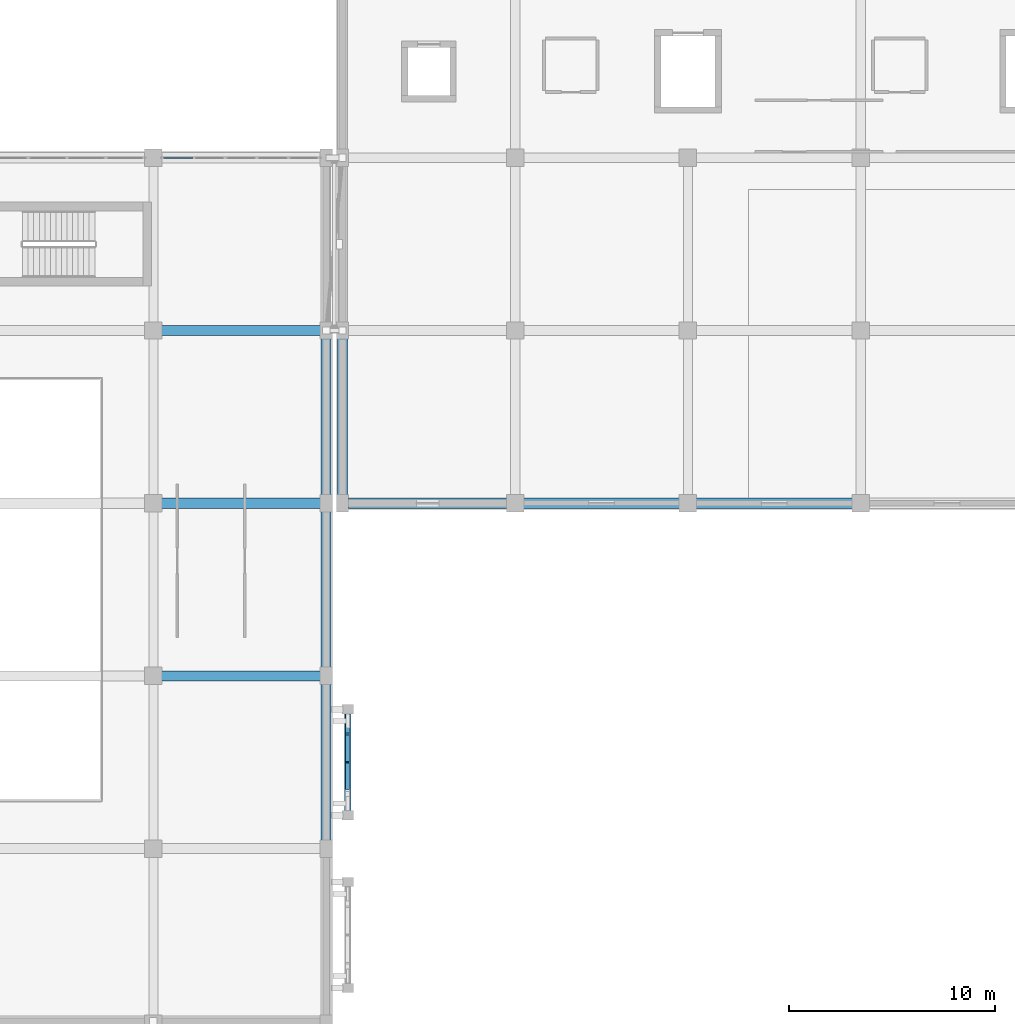
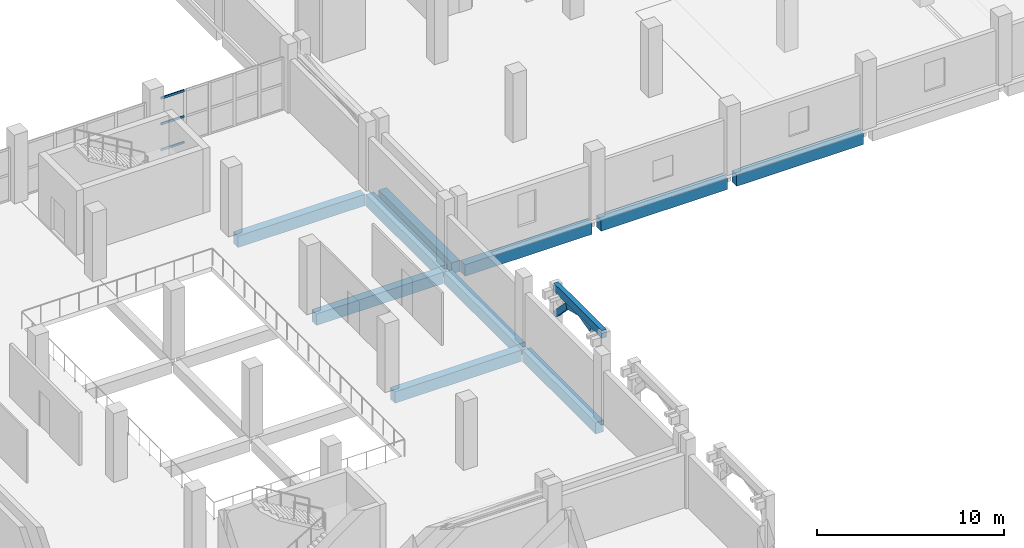
# One storey, part 70 of 137: 11 beams, 6 members, 1 element without a shape of its own.
"""IFC4 building model written with IfcOpenShell, lengths in metres."""

from ifc_helpers import new_model, si_unit, direction, frame, origin, origin_2d, place, context, subcontext, project, spatial, rectangle, hollow_rectangle, extrude, material, layer, layer_set, material_profile, profile_set, type_object, element, aggregate, save


model = new_model("IFC4")

# Units and contexts
model_context = context("Model", 3, precision=1e-05, world=origin(), true_north=direction((0.0, 1.0)))
body_context = subcontext(model_context, "Body", "Model", "MODEL_VIEW")
ifc_project = project(units=[si_unit("LENGTHUNIT", "METRE"), si_unit("AREAUNIT", "SQUARE_METRE"), si_unit("VOLUMEUNIT", "CUBIC_METRE"), si_unit("PLANEANGLEUNIT", "RADIAN"), si_unit("MASSUNIT", "GRAM", prefix="KILO")], contexts=[model_context])

# Site, building, storey
site_placement = place(None, origin())
site = spatial("IfcSite", under=ifc_project, at=site_placement, CompositionType="ELEMENT")
building_placement = place(site_placement, origin())
building = spatial("IfcBuilding", under=site, at=building_placement, Name="Xazarin Passage Department Store", CompositionType="ELEMENT")
storey_placement = place(building_placement, frame((0.0, 0.0, 5.39990234375)))
storey = spatial("IfcBuildingStorey", under=building, at=storey_placement, Name="L01", CompositionType="ELEMENT", Elevation=5.39990234375)

# Curtain wall, members
ifc_material_1 = material(Name="Bronze anodised aluminium", Category="aluminium")
ifc_layer = layer(ifc_material_1, 0.169921875)
ifc_layer_set = layer_set([ifc_layer], Name="Bronze anodised aluminium")
curtain_wall_type = type_object("IfcCurtainWallType", Name="ARC-CW-ARC2", PredefinedType="NOTDEFINED", material=ifc_layer_set)
curtain_wall_placement = place(storey_placement, origin())
curtain_wall = element("IfcCurtainWall", 1, at=curtain_wall_placement, inside=storey, type_object=curtain_wall_type, Name="L01 V2N Curtain Wall 113", PredefinedType="NOTDEFINED")
ifc_material_profile_1 = material_profile(ifc_material_1, hollow_rectangle(XDim=0.06494140625, YDim=0.139892578125, WallThickness=0.00390625, at=origin_2d()), Name="ALU 65x140")
ifc_profile_set_1 = profile_set([ifc_material_profile_1], Name="Bronze anodised aluminium")
member_type_1 = type_object("IfcMemberType", Name="ARC-CWT-65x140", PredefinedType="USERDEFINED", material=ifc_profile_set_1)
member_1_placement = place(storey_placement, frame((93.68994140625, 93.199951171875, 0.03271484375), z_axis=(1.0, 0.0, 0.0), x_axis=(0.0, 1.0, 0.0)))
member_1 = element("IfcMember", 2, at=member_1_placement, type_object=member_type_1, Name="CW4 transom 1.1", ObjectType="TRANSOM", PredefinedType="USERDEFINED", context=body_context, shape_type="SweptSolid", body=[
    extrude(hollow_rectangle(XDim=0.06494140625, YDim=0.139892578125, WallThickness=0.00390625, at=origin_2d()), origin(), (0.0, 0.0, 1.0), 1.4375),
])
member_2_placement = place(storey_placement, frame((93.68994140625, 93.199951171875, 1.72509765625), z_axis=(1.0, 0.0, 0.0), x_axis=(0.0, 1.0, 0.0)))
member_2 = element("IfcMember", 3, at=member_2_placement, type_object=member_type_1, Name="CW4 transom 1.2", ObjectType="TRANSOM", PredefinedType="USERDEFINED", context=body_context, shape_type="SweptSolid", body=[
    extrude(hollow_rectangle(XDim=0.06494140625, YDim=0.139892578125, WallThickness=0.00390625, at=origin_2d()), origin(), (0.0, 0.0, 1.0), 1.4375),
])
member_3_placement = place(storey_placement, frame((93.68994140625, 93.199951171875, 3.41748046875), z_axis=(1.0, 0.0, 0.0), x_axis=(0.0, 1.0, 0.0)))
member_3 = element("IfcMember", 4, at=member_3_placement, type_object=member_type_1, Name="CW4 transom 1.3", ObjectType="TRANSOM", PredefinedType="USERDEFINED", context=body_context, shape_type="SweptSolid", body=[
    extrude(hollow_rectangle(XDim=0.06494140625, YDim=0.139892578125, WallThickness=0.00390625, at=origin_2d()), origin(), (0.0, 0.0, 1.0), 1.4375),
])
aggregate(curtain_wall, [member_1, member_2, member_3])

# Beams
ifc_material_2 = material(Name="Concrete C35/45", Category="concrete")
ifc_material_profile_2 = material_profile(ifc_material_2, rectangle(XDim=0.300048828125, YDim=0.5, at=origin_2d()), Name="RC 300x500")
ifc_profile_set_2 = profile_set([ifc_material_profile_2], Name="Concrete C35/45")
beam_type_1 = type_object("IfcBeamType", Name="STR-BM-LN300x500", PredefinedType="LINTEL", material=ifc_profile_set_2)
beam_1_placement = place(storey_placement, frame((102.64990234375, 61.219970703125, 4.25), z_axis=(0.0, 1.0, 0.0), x_axis=(-1.0, 0.0, 0.0)))
element("IfcBeam", 5, at=beam_1_placement, inside=storey, type_object=beam_type_1, Name="L01 V2N Colonnade Spandrel Beam 025", PredefinedType="LINTEL", context=body_context, shape_type="SweptSolid", body=[
    extrude(rectangle(XDim=0.300048828125, YDim=0.5, at=origin_2d()), origin(), (0.0, 0.0, 1.0), 5.159912109375),
])
ifc_material_profile_3 = material_profile(ifc_material_2, rectangle(XDim=0.5, YDim=0.75, at=origin_2d()), Name="RC 500x750")
ifc_profile_set_3 = profile_set([ifc_material_profile_3], Name="Concrete C35/45")
beam_type_2 = type_object("IfcBeamType", Name="STR-BM-SP500x750", PredefinedType="SPANDREL", material=ifc_profile_set_3)
for number, where, z_axis, x_axis, name in (
    (6, (93.47998046875, 68.0, -0.6748046875), (1.0, 0.0, 0.0), (0.0, 1.0, 0.0), "L01 Grid Beam K/13-14"),
    (7, (93.47998046875, 76.39990234375, -0.6748046875), (1.0, 0.0, 0.0), (0.0, 1.0, 0.0), "L01 Grid Beam L/13-14"),
    (8, (93.47998046875, 84.800048828125, -0.6748046875), (1.0, 0.0, 0.0), (0.0, 1.0, 0.0), "L01 Grid Beam M/13-14"),
    (9, (101.60009765625, 59.8798828125, -0.6748046875), (0.0, 1.0, 0.0), (-1.0, 0.0, 0.0), "L01 Grid Beam 14/J-K"),
    (10, (101.60009765625, 68.280029296875, -0.6748046875), (0.0, 1.0, 0.0), (-1.0, 0.0, 0.0), "L01 Grid Beam 14/K-L"),
    (11, (101.60009765625, 76.679931640625, -0.6748046875), (0.0, 1.0, 0.0), (-1.0, 0.0, 0.0), "L01 Grid Beam 14/L-M"),
    (12, (102.679931640625, 76.39990234375, -0.6748046875), (1.0, 0.0, 0.0), (0.0, 1.0, 0.0), "L01 Grid Beam L/15-16"),
):
    element("IfcBeam", number, at=place(storey_placement, frame(where, z_axis=z_axis, x_axis=x_axis)), inside=storey, type_object=beam_type_2, Name=name, PredefinedType="SPANDREL", context=body_context, shape_type="SweptSolid", body=[
        extrude(rectangle(XDim=0.5, YDim=0.75, at=origin_2d()), origin(), (0.0, 0.0, 1.0), 7.840087890625),
    ])
beam_2_placement = place(storey_placement, frame((111.080078125, 76.39990234375, -0.6748046875), z_axis=(1.0, 0.0, 0.0), x_axis=(0.0, 1.0, 0.0)))
element("IfcBeam", 13, at=beam_2_placement, inside=storey, type_object=beam_type_2, Name="L01 Grid Beam L/16-17", PredefinedType="SPANDREL", context=body_context, shape_type="SweptSolid", body=[
    extrude(rectangle(XDim=0.5, YDim=0.75, at=origin_2d()), origin(), (0.0, 0.0, 1.0), 7.83984375),
])
for number, where, z_axis, x_axis, name in (
    (14, (119.47998046875, 76.39990234375, -0.6748046875), (1.0, 0.0, 0.0), (0.0, 1.0, 0.0), "L01 Grid Beam L/17-18"),
    (15, (102.39990234375, 76.679931640625, -0.6748046875), (0.0, 1.0, 0.0), (-1.0, 0.0, 0.0), "L01 Grid Beam 15/L-M"),
):
    element("IfcBeam", number, at=place(storey_placement, frame(where, z_axis=z_axis, x_axis=x_axis)), inside=storey, type_object=beam_type_2, Name=name, PredefinedType="SPANDREL", context=body_context, shape_type="SweptSolid", body=[
        extrude(rectangle(XDim=0.5, YDim=0.75, at=origin_2d()), origin(), (0.0, 0.0, 1.0), 7.840087890625),
    ])

# Members
ifc_material_3 = material(Name="Concrete C40/50", Category="concrete")
ifc_material_profile_4 = material_profile(ifc_material_3, rectangle(XDim=0.199951171875, YDim=0.360107421875, at=origin_2d()), Name="RC 200x360")
ifc_profile_set_4 = profile_set([ifc_material_profile_4], Name="Concrete C40/50")
member_type_2 = type_object("IfcMemberType", Name="STR-MEM-ARC360", PredefinedType="CHORD", material=ifc_profile_set_4)
for number, where, z_axis, x_axis, name in (
    (16, (102.64990234375, 62.510009765625, 3.7705078125), (0.0, 0.972393983317, 0.233345111818), (-1.0, 0.0, 0.0), "L01 V2N Pierced Lattice Curved Arch 025.2"),
    (17, (102.64990234375, 63.800048828125, 4.080078125), (0.0, 0.972393983317, -0.233345111818), (-1.0, 0.0, 0.0), "L01 V2N Pierced Lattice Curved Arch 025.3"),
):
    element("IfcMember", number, at=place(storey_placement, frame(where, z_axis=z_axis, x_axis=x_axis)), inside=storey, type_object=member_type_2, Name=name, PredefinedType="CHORD", context=body_context, shape_type="SweptSolid", body=[
        extrude(rectangle(XDim=0.199951171875, YDim=0.360107421875, at=origin_2d()), origin(), (0.0, 0.0, 1.0), 1.32666015625),
    ])
member_4_placement = place(storey_placement, frame((102.64990234375, 65.090087890625, 3.7705078125), z_axis=(0.0, 0.693391944082, -0.720560623322), x_axis=(-1.0, 0.0, 0.0)))
element("IfcMember", 18, at=member_4_placement, inside=storey, type_object=member_type_2, Name="L01 V2N Pierced Lattice Curved Arch 025.4", PredefinedType="CHORD", context=body_context, shape_type="SweptSolid", body=[
    extrude(rectangle(XDim=0.199951171875, YDim=0.360107421875, at=origin_2d()), origin(), (0.0, 0.0, 1.0), 1.860107421875),
])

save(model, "model.ifc")
